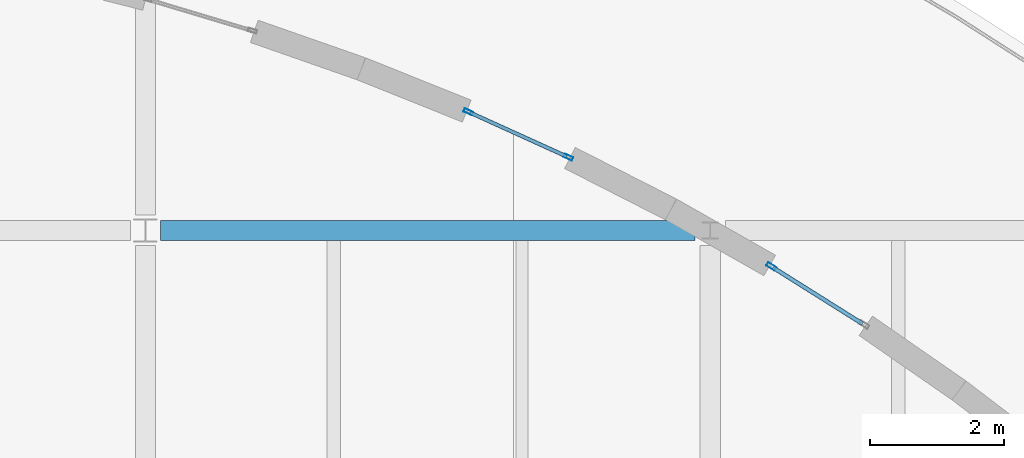
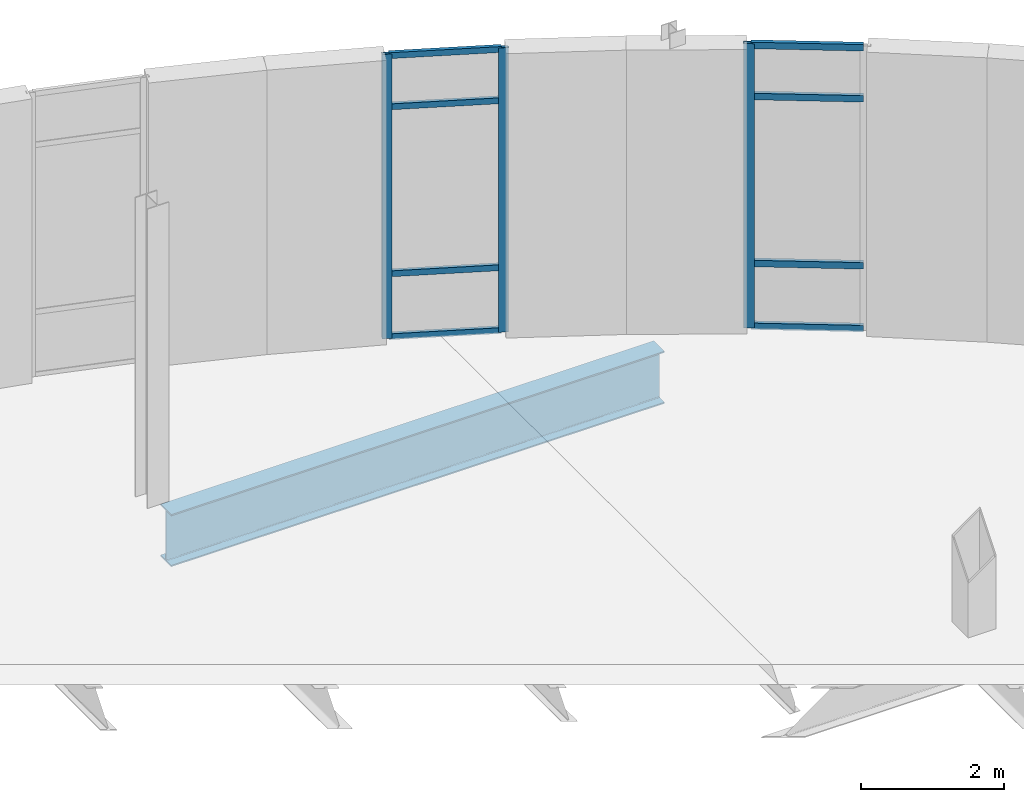
# One storey, part 21 of 57: 11 members, 1 beam, 2 elements without a shape of their own.
"""IFC4 building model written with IfcOpenShell, lengths in metres."""

from ifc_helpers import new_model, si_unit, direction, frame, origin, origin_2d, place, context, subcontext, project, spatial, hollow_rectangle, i_section, extrude, material, layer, layer_set, material_profile, profile_set, type_object, element, aggregate, save


model = new_model("IFC4")

# Units and contexts
model_context = context("Model", 3, precision=1e-05, world=origin(), true_north=direction((0.0, 1.0)))
body_context = subcontext(model_context, "Body", "Model", "MODEL_VIEW")
ifc_project = project(units=[si_unit("LENGTHUNIT", "METRE"), si_unit("AREAUNIT", "SQUARE_METRE"), si_unit("VOLUMEUNIT", "CUBIC_METRE"), si_unit("PLANEANGLEUNIT", "RADIAN"), si_unit("MASSUNIT", "GRAM", prefix="KILO"), si_unit("THERMODYNAMICTEMPERATUREUNIT", "KELVIN")], contexts=[model_context])

# Site, building, storey
site_placement = place(None, origin())
site = spatial("IfcSite", under=ifc_project, at=site_placement, CompositionType="ELEMENT")
building_placement = place(site_placement, origin())
building = spatial("IfcBuilding", under=site, at=building_placement, Name="Lustrewick Department Store", CompositionType="ELEMENT")
storey_placement = place(building_placement, frame((0.0, 0.0, 26.699951171875)))
storey = spatial("IfcBuildingStorey", under=building, at=storey_placement, Name="L06", CompositionType="ELEMENT", Elevation=26.699951171875)

# Curtain wall, members
ifc_material_1 = material(Name="Thermally broken aluminium 6063-T5", Category="aluminium")
ifc_layer_1 = layer(ifc_material_1, 0.14990234375, Name="Thermally broken aluminium 6063-T5")
ifc_layer_set_1 = layer_set([ifc_layer_1], Name="Thermally broken aluminium 6063-T5")
curtain_wall_type_1 = type_object("IfcCurtainWallType", Name="CW05", PredefinedType="NOTDEFINED", material=ifc_layer_set_1)
curtain_wall_1_placement = place(storey_placement, origin())
curtain_wall_1 = element("IfcCurtainWall", 1, at=curtain_wall_1_placement, inside=storey, type_object=curtain_wall_type_1, Name="L06 V4 Curtain Wall CW05", PredefinedType="NOTDEFINED")
ifc_material_profile_1 = material_profile(ifc_material_1, hollow_rectangle(XDim=0.06005859375, YDim=0.14990234375, WallThickness=0.00341796875, at=origin_2d()), Name="ALU-M 60x150x3.5")
ifc_profile_set_1 = profile_set([ifc_material_profile_1], Name="Thermally broken aluminium 6063-T5")
member_type_1 = type_object("IfcMemberType", Name="CW05-M1", PredefinedType="MULLION", material=ifc_profile_set_1)
member_1_placement = place(storey_placement, frame((135.310302734375, 91.86181640625, 0.0), z_axis=(0.0, 0.0, 1.0), x_axis=(-0.532027101467, -0.846727325238, 0.0)))
member_1 = element("IfcMember", 2, at=member_1_placement, type_object=member_type_1, Name="CW05 mullion 2", PredefinedType="MULLION", context=body_context, shape_type="SweptSolid", body=[
    extrude(hollow_rectangle(XDim=0.06005859375, YDim=0.14990234375, WallThickness=0.00341796875, at=origin_2d()), origin(), (0.0, 0.0, 1.0), 4.844970703125),
])
ifc_material_profile_2 = material_profile(ifc_material_1, hollow_rectangle(XDim=0.06005859375, YDim=0.110107421875, WallThickness=0.0029296875, at=origin_2d()), Name="ALU-T 60x110x3")
ifc_profile_set_2 = profile_set([ifc_material_profile_2], Name="Thermally broken aluminium 6063-T5")
member_type_2 = type_object("IfcMemberType", Name="CW05-T1", PredefinedType="USERDEFINED", material=ifc_profile_set_2)
member_2_placement = place(storey_placement, frame((136.662841796875, 91.011962890625, 0.030029296875), z_axis=(-0.846770873534, 0.531957787549, 0.0), x_axis=(-0.531957787549, -0.846770873534, 0.0)))
member_2 = element("IfcMember", 3, at=member_2_placement, type_object=member_type_2, Name="CW05 transom 1.1", ObjectType="TRANSOM", PredefinedType="USERDEFINED", context=body_context, shape_type="SweptSolid", body=[
    extrude(hollow_rectangle(XDim=0.06005859375, YDim=0.110107421875, WallThickness=0.0029296875, at=origin_2d()), origin(), (0.0, 0.0, 1.0), 1.5673828125),
])
member_3_placement = place(storey_placement, frame((136.662841796875, 91.011962890625, 1.10009765625), z_axis=(-0.846770873534, 0.531957787549, 0.0), x_axis=(-0.531957787549, -0.846770873534, 0.0)))
member_3 = element("IfcMember", 4, at=member_3_placement, type_object=member_type_2, Name="CW05 transom 1.2", ObjectType="TRANSOM", PredefinedType="USERDEFINED", context=body_context, shape_type="SweptSolid", body=[
    extrude(hollow_rectangle(XDim=0.06005859375, YDim=0.110107421875, WallThickness=0.0029296875, at=origin_2d()), origin(), (0.0, 0.0, 1.0), 1.5673828125),
])
member_4_placement = place(storey_placement, frame((136.662841796875, 91.011962890625, 3.945068359375), z_axis=(-0.846770873534, 0.531957787549, 0.0), x_axis=(-0.531957787549, -0.846770873534, 0.0)))
member_4 = element("IfcMember", 5, at=member_4_placement, type_object=member_type_2, Name="CW05 transom 1.3", ObjectType="TRANSOM", PredefinedType="USERDEFINED", context=body_context, shape_type="SweptSolid", body=[
    extrude(hollow_rectangle(XDim=0.06005859375, YDim=0.110107421875, WallThickness=0.0029296875, at=origin_2d()), origin(), (0.0, 0.0, 1.0), 1.5673828125),
])
member_5_placement = place(storey_placement, frame((136.662841796875, 91.011962890625, 4.81494140625), z_axis=(-0.846770873534, 0.531957787549, 0.0), x_axis=(-0.531957787549, -0.846770873534, 0.0)))
member_5 = element("IfcMember", 6, at=member_5_placement, type_object=member_type_2, Name="CW05 transom 1.4", ObjectType="TRANSOM", PredefinedType="USERDEFINED", context=body_context, shape_type="SweptSolid", body=[
    extrude(hollow_rectangle(XDim=0.06005859375, YDim=0.110107421875, WallThickness=0.0029296875, at=origin_2d()), origin(), (0.0, 0.0, 1.0), 1.5673828125),
])
aggregate(curtain_wall_1, [member_1, member_2, member_3, member_4, member_5])

ifc_layer_2 = layer(ifc_material_1, 0.139892578125, Name="Thermally broken aluminium 6063-T5")
ifc_layer_set_2 = layer_set([ifc_layer_2], Name="Thermally broken aluminium 6063-T5")
curtain_wall_type_2 = type_object("IfcCurtainWallType", Name="CW06", PredefinedType="NOTDEFINED", material=ifc_layer_set_2)
curtain_wall_2_placement = place(storey_placement, origin())
curtain_wall_2 = element("IfcCurtainWall", 7, at=curtain_wall_2_placement, inside=storey, type_object=curtain_wall_type_2, Name="L06 V4 Curtain Wall CW06", PredefinedType="NOTDEFINED")
ifc_material_profile_3 = material_profile(ifc_material_1, hollow_rectangle(XDim=0.054931640625, YDim=0.139892578125, WallThickness=0.00341796875, at=origin_2d()), Name="ALU-M 55x140x3.5")
ifc_profile_set_3 = profile_set([ifc_material_profile_3], Name="Thermally broken aluminium 6063-T5")
member_type_3 = type_object("IfcMemberType", Name="CW06-M1", PredefinedType="MULLION", material=ifc_profile_set_3)
member_6_placement = place(storey_placement, frame((132.2890625, 93.48779296875, 0.0), z_axis=(0.0, 0.0, 1.0), x_axis=(-0.413548415065, -0.910482129642, 0.0)))
member_6 = element("IfcMember", 8, at=member_6_placement, type_object=member_type_3, Name="CW06 mullion 1", PredefinedType="MULLION", context=body_context, shape_type="SweptSolid", body=[
    extrude(hollow_rectangle(XDim=0.054931640625, YDim=0.139892578125, WallThickness=0.00341796875, at=origin_2d()), origin(), (0.0, 0.0, 1.0), 4.844970703125),
])
member_7_placement = place(storey_placement, frame((130.802734375, 94.162841796875, 0.0), z_axis=(0.0, 0.0, 1.0), x_axis=(-0.413548415065, -0.910482129642, 0.0)))
member_7 = element("IfcMember", 9, at=member_7_placement, type_object=member_type_3, Name="CW06 mullion 2", PredefinedType="MULLION", context=body_context, shape_type="SweptSolid", body=[
    extrude(hollow_rectangle(XDim=0.054931640625, YDim=0.139892578125, WallThickness=0.00341796875, at=origin_2d()), origin(), (0.0, 0.0, 1.0), 4.844970703125),
])
ifc_material_profile_4 = material_profile(ifc_material_1, hollow_rectangle(XDim=0.054931640625, YDim=0.10009765625, WallThickness=0.0029296875, at=origin_2d()), Name="ALU-T 55x100x3")
ifc_profile_set_4 = profile_set([ifc_material_profile_4], Name="Thermally broken aluminium 6063-T5")
member_type_4 = type_object("IfcMemberType", Name="CW06-T1", PredefinedType="USERDEFINED", material=ifc_profile_set_4)
member_8_placement = place(storey_placement, frame((132.263916015625, 93.4990234375, 0.027587890625), z_axis=(-0.910461870401, 0.413593015592, 0.0), x_axis=(-0.413593015592, -0.910461870401, 0.0)))
member_8 = element("IfcMember", 10, at=member_8_placement, type_object=member_type_4, Name="CW06 transom 1.1", ObjectType="TRANSOM", PredefinedType="USERDEFINED", context=body_context, shape_type="SweptSolid", body=[
    extrude(hollow_rectangle(XDim=0.054931640625, YDim=0.10009765625, WallThickness=0.0029296875, at=origin_2d()), origin(), (0.0, 0.0, 1.0), 1.5771484375),
])
member_9_placement = place(storey_placement, frame((132.263916015625, 93.4990234375, 1.10009765625), z_axis=(-0.910461870401, 0.413593015592, 0.0), x_axis=(-0.413593015592, -0.910461870401, 0.0)))
member_9 = element("IfcMember", 11, at=member_9_placement, type_object=member_type_4, Name="CW06 transom 1.2", ObjectType="TRANSOM", PredefinedType="USERDEFINED", context=body_context, shape_type="SweptSolid", body=[
    extrude(hollow_rectangle(XDim=0.054931640625, YDim=0.10009765625, WallThickness=0.0029296875, at=origin_2d()), origin(), (0.0, 0.0, 1.0), 1.5771484375),
])
member_10_placement = place(storey_placement, frame((132.263916015625, 93.4990234375, 3.945068359375), z_axis=(-0.910461870401, 0.413593015592, 0.0), x_axis=(-0.413593015592, -0.910461870401, 0.0)))
member_10 = element("IfcMember", 12, at=member_10_placement, type_object=member_type_4, Name="CW06 transom 1.3", ObjectType="TRANSOM", PredefinedType="USERDEFINED", context=body_context, shape_type="SweptSolid", body=[
    extrude(hollow_rectangle(XDim=0.054931640625, YDim=0.10009765625, WallThickness=0.0029296875, at=origin_2d()), origin(), (0.0, 0.0, 1.0), 1.5771484375),
])
member_11_placement = place(storey_placement, frame((132.263916015625, 93.4990234375, 4.817626953125), z_axis=(-0.910461870401, 0.413593015592, 0.0), x_axis=(-0.413593015592, -0.910461870401, 0.0)))
member_11 = element("IfcMember", 13, at=member_11_placement, type_object=member_type_4, Name="CW06 transom 1.4", ObjectType="TRANSOM", PredefinedType="USERDEFINED", context=body_context, shape_type="SweptSolid", body=[
    extrude(hollow_rectangle(XDim=0.054931640625, YDim=0.10009765625, WallThickness=0.0029296875, at=origin_2d()), origin(), (0.0, 0.0, 1.0), 1.5771484375),
])
aggregate(curtain_wall_2, [member_6, member_7, member_8, member_9, member_10, member_11])

# Beam
ifc_material_2 = material(Name="Structural steel Q355C", Category="steel")
ifc_material_profile_5 = material_profile(ifc_material_2, i_section(OverallWidth=0.299072265625, OverallDepth=0.889892578125, WebThickness=0.014892578125, FlangeThickness=0.02294921875, FilletRadius=0.02392578125, at=origin_2d()), Name="HN 890x299x15x23")
ifc_profile_set_5 = profile_set([ifc_material_profile_5], Name="Structural steel Q355C")
beam_type = type_object("IfcBeamType", Name="G03", PredefinedType="BEAM", material=ifc_profile_set_5)
beam_placement = place(storey_placement, frame((126.22509765625, 92.39990234375, -0.699951171875), z_axis=(1.0, 0.0, 0.0), x_axis=(0.0, 1.0, 0.0)))
element("IfcBeam", 14, at=beam_placement, inside=storey, type_object=beam_type, Name="L06 V4 Girder G03", PredefinedType="BEAM", context=body_context, shape_type="SweptSolid", body=[
    extrude(i_section(OverallWidth=0.299072265625, OverallDepth=0.889892578125, WebThickness=0.014892578125, FlangeThickness=0.02294921875, FilletRadius=0.02392578125, at=origin_2d()), origin(), (0.0, 0.0, 1.0), 7.949951171875),
])

save(model, "model.ifc")
